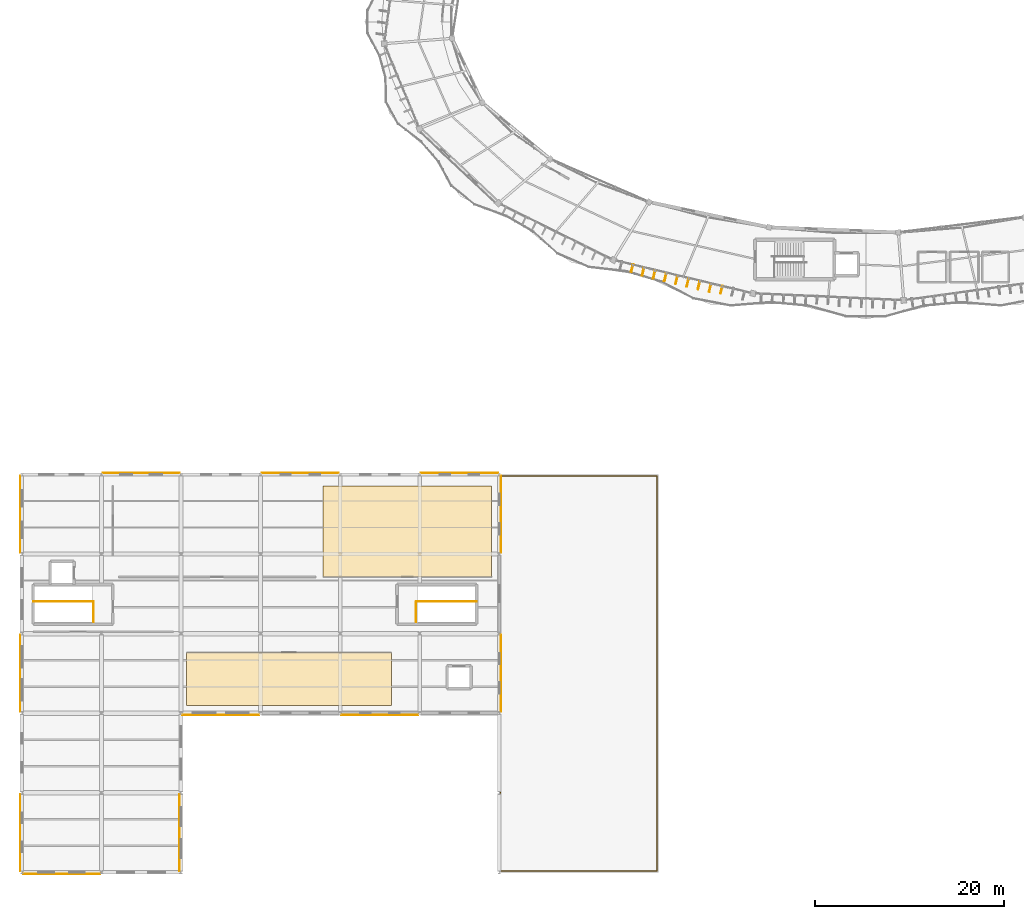
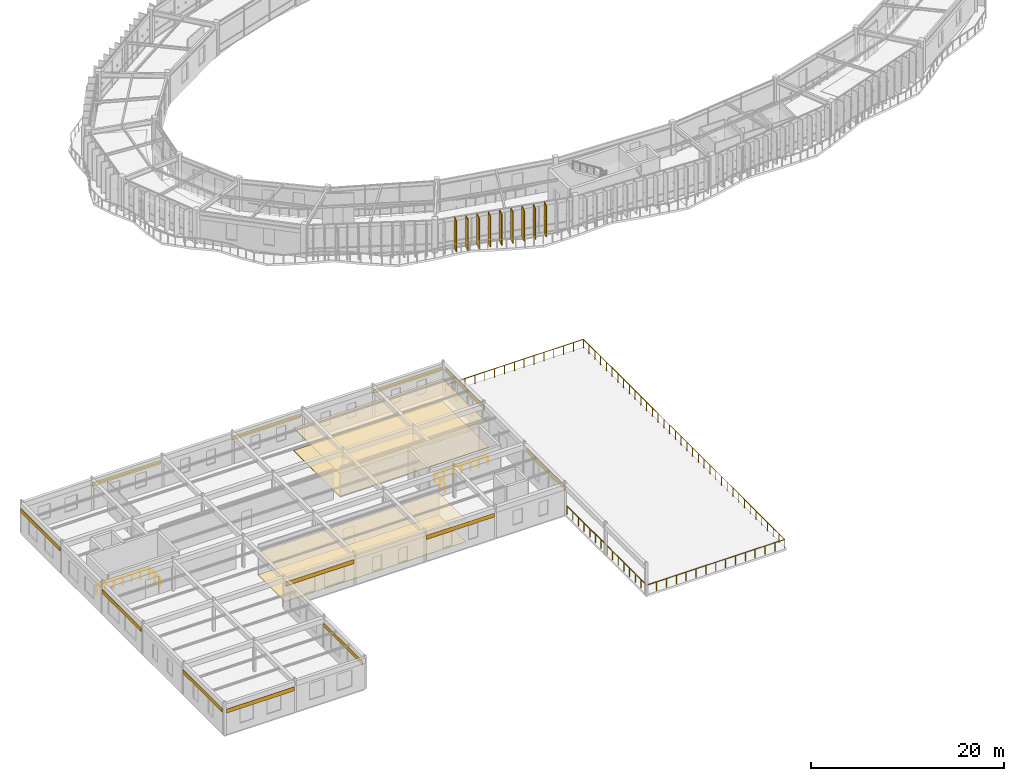
# One storey, part 78 of 83: 16 coverings, 9 shading devices, 5 railings.
"""IFC4 building model written with IfcOpenShell, lengths in metres."""

from ifc_helpers import new_model, si_unit, direction, frame, origin, origin_2d, place, context, subcontext, project, spatial, polyline, rectangle, circle, outline, extrude, material, layer, layer_set, type_object, element, save


model = new_model("IFC4")

# Units and contexts
model_context = context("Model", 3, precision=1e-05, world=origin(), true_north=direction((0.0, 1.0)))
body_context = subcontext(model_context, "Body", "Model", "MODEL_VIEW")
ifc_project = project(units=[si_unit("LENGTHUNIT", "METRE"), si_unit("AREAUNIT", "SQUARE_METRE"), si_unit("VOLUMEUNIT", "CUBIC_METRE"), si_unit("PLANEANGLEUNIT", "RADIAN"), si_unit("MASSUNIT", "GRAM", prefix="KILO"), si_unit("THERMODYNAMICTEMPERATUREUNIT", "KELVIN"), si_unit("POWERUNIT", "WATT")], contexts=[model_context])

# Site, building, storey
site_placement = place(None, origin())
site = spatial("IfcSite", under=ifc_project, at=site_placement, CompositionType="ELEMENT")
building_placement = place(site_placement, origin())
building = spatial("IfcBuilding", under=site, at=building_placement, Name="Darbajah Civic Hall", CompositionType="ELEMENT")
storey_placement = place(building_placement, frame((0.0, 0.0, 18.0)))
storey = spatial("IfcBuildingStorey", under=building, at=storey_placement, Name="L04", CompositionType="ELEMENT", Elevation=18.0)

# Railing
ifc_material_1 = material(Name="Anodised Bronze Aluminium and Laminated Safety Glass", Category="aluminium")
railing_type_1 = type_object("IfcRailingType", Name="Exterior Terrace Balustrade Guard", PredefinedType="BALUSTRADE", material=ifc_material_1)
railing_1_placement = place(storey_placement, frame((50.550048828125, 16.64990234375, 0.0)))
element("IfcRailing", 1, at=railing_1_placement, inside=storey, type_object=railing_type_1, Name="L04 walkable terrace balustrade guard GD-V5-L04-TERR", PredefinedType="BALUSTRADE", context=body_context, shape_type="SweptSolid", body=[
    extrude(circle(Radius=0.02392578125, at=origin_2d()), frame((0.0, -0.02734375, 1.09619140625), z_axis=(0.0, -1.0, 0.0), x_axis=(1.0, 0.0, 0.0)), (0.0, 0.0, 1.0), 16.4453125),
    extrude(circle(Radius=0.02392578125, at=origin_2d()), frame((0.02734375, -16.5, 1.09619140625), z_axis=(1.0, 0.0, 0.0), x_axis=(0.0, 1.0, 0.0)), (0.0, 0.0, 1.0), 16.4453125),
    extrude(circle(Radius=0.02392578125, at=origin_2d()), frame((16.5, -16.47265625, 1.09619140625), z_axis=(0.0, 1.0, 0.0), x_axis=(-1.0, 0.0, 0.0)), (0.0, 0.0, 1.0), 41.6455078125),
    extrude(circle(Radius=0.02392578125, at=origin_2d()), frame((16.47265625, 25.2001953125, 1.09619140625), z_axis=(-1.0, 0.0, 0.0), x_axis=(0.0, -1.0, 0.0)), (0.0, 0.0, 1.0), 16.4453125),
    extrude(circle(Radius=0.02099609375, at=origin_2d()), origin(), (0.0, 0.0, 1.0), 1.068115234375),
    extrude(circle(Radius=0.02099609375, at=origin_2d()), frame((0.0, -1.178466796875, 0.0)), (0.0, 0.0, 1.0), 1.068115234375),
    extrude(circle(Radius=0.02099609375, at=origin_2d()), frame((0.0, -2.357177734375, 0.0)), (0.0, 0.0, 1.0), 1.068115234375),
    extrude(circle(Radius=0.02099609375, at=origin_2d()), frame((0.0, -3.53564453125, 0.0)), (0.0, 0.0, 1.0), 1.068115234375),
    extrude(circle(Radius=0.02099609375, at=origin_2d()), frame((0.0, -4.71435546875, 0.0)), (0.0, 0.0, 1.0), 1.068115234375),
    extrude(circle(Radius=0.02099609375, at=origin_2d()), frame((0.0, -5.892822265625, 0.0)), (0.0, 0.0, 1.0), 1.068115234375),
    extrude(circle(Radius=0.02099609375, at=origin_2d()), frame((0.0, -7.071533203125, 0.0)), (0.0, 0.0, 1.0), 1.068115234375),
    extrude(circle(Radius=0.02099609375, at=origin_2d()), frame((0.0, -8.25, 0.0)), (0.0, 0.0, 1.0), 1.068115234375),
    extrude(circle(Radius=0.02099609375, at=origin_2d()), frame((0.0, -9.428466796875, 0.0)), (0.0, 0.0, 1.0), 1.068115234375),
    extrude(circle(Radius=0.02099609375, at=origin_2d()), frame((0.0, -10.607177734375, 0.0)), (0.0, 0.0, 1.0), 1.068115234375),
    extrude(circle(Radius=0.02099609375, at=origin_2d()), frame((0.0, -11.78564453125, 0.0)), (0.0, 0.0, 1.0), 1.068115234375),
    extrude(circle(Radius=0.02099609375, at=origin_2d()), frame((0.0, -12.96435546875, 0.0)), (0.0, 0.0, 1.0), 1.068115234375),
    extrude(circle(Radius=0.02099609375, at=origin_2d()), frame((0.0, -14.142822265625, 0.0)), (0.0, 0.0, 1.0), 1.068115234375),
    extrude(circle(Radius=0.02099609375, at=origin_2d()), frame((0.0, -15.321533203125, 0.0)), (0.0, 0.0, 1.0), 1.068115234375),
    extrude(circle(Radius=0.02099609375, at=origin_2d()), frame((0.0, -16.5, 0.0)), (0.0, 0.0, 1.0), 1.068115234375),
    extrude(circle(Radius=0.02099609375, at=origin_2d()), frame((1.178466796875, -16.5, 0.0)), (0.0, 0.0, 1.0), 1.068115234375),
    extrude(circle(Radius=0.02099609375, at=origin_2d()), frame((2.357177734375, -16.5, 0.0)), (0.0, 0.0, 1.0), 1.068115234375),
    extrude(circle(Radius=0.02099609375, at=origin_2d()), frame((3.53564453125, -16.5, 0.0)), (0.0, 0.0, 1.0), 1.068115234375),
    extrude(circle(Radius=0.02099609375, at=origin_2d()), frame((4.71435546875, -16.5, 0.0)), (0.0, 0.0, 1.0), 1.068115234375),
    extrude(circle(Radius=0.02099609375, at=origin_2d()), frame((5.892822265625, -16.5, 0.0)), (0.0, 0.0, 1.0), 1.068115234375),
    extrude(circle(Radius=0.02099609375, at=origin_2d()), frame((7.071533203125, -16.5, 0.0)), (0.0, 0.0, 1.0), 1.068115234375),
    extrude(circle(Radius=0.02099609375, at=origin_2d()), frame((8.25, -16.5, 0.0)), (0.0, 0.0, 1.0), 1.068115234375),
    extrude(circle(Radius=0.02099609375, at=origin_2d()), frame((9.428466796875, -16.5, 0.0)), (0.0, 0.0, 1.0), 1.068115234375),
    extrude(circle(Radius=0.02099609375, at=origin_2d()), frame((10.607177734375, -16.5, 0.0)), (0.0, 0.0, 1.0), 1.068115234375),
    extrude(circle(Radius=0.02099609375, at=origin_2d()), frame((11.78564453125, -16.5, 0.0)), (0.0, 0.0, 1.0), 1.068115234375),
    extrude(circle(Radius=0.02099609375, at=origin_2d()), frame((12.96435546875, -16.5, 0.0)), (0.0, 0.0, 1.0), 1.068115234375),
    extrude(circle(Radius=0.02099609375, at=origin_2d()), frame((14.142822265625, -16.5, 0.0)), (0.0, 0.0, 1.0), 1.068115234375),
    extrude(circle(Radius=0.02099609375, at=origin_2d()), frame((15.321533203125, -16.5, 0.0)), (0.0, 0.0, 1.0), 1.068115234375),
    extrude(circle(Radius=0.02099609375, at=origin_2d()), frame((16.5, -16.5, 0.0)), (0.0, 0.0, 1.0), 1.068115234375),
    extrude(circle(Radius=0.02099609375, at=origin_2d()), frame((16.5, -15.30859375, 0.0)), (0.0, 0.0, 1.0), 1.068115234375),
    extrude(circle(Radius=0.02099609375, at=origin_2d()), frame((16.5, -14.1171875, 0.0)), (0.0, 0.0, 1.0), 1.068115234375),
    extrude(circle(Radius=0.02099609375, at=origin_2d()), frame((16.5, -12.92578125, 0.0)), (0.0, 0.0, 1.0), 1.068115234375),
    extrude(circle(Radius=0.02099609375, at=origin_2d()), frame((16.5, -11.734375, 0.0)), (0.0, 0.0, 1.0), 1.068115234375),
    extrude(circle(Radius=0.02099609375, at=origin_2d()), frame((16.5, -10.542724609375, 0.0)), (0.0, 0.0, 1.0), 1.068115234375),
    extrude(circle(Radius=0.02099609375, at=origin_2d()), frame((16.5, -9.351318359375, 0.0)), (0.0, 0.0, 1.0), 1.068115234375),
    extrude(circle(Radius=0.02099609375, at=origin_2d()), frame((16.5, -8.159912109375, 0.0)), (0.0, 0.0, 1.0), 1.068115234375),
    extrude(circle(Radius=0.02099609375, at=origin_2d()), frame((16.5, -6.968505859375, 0.0)), (0.0, 0.0, 1.0), 1.068115234375),
    extrude(circle(Radius=0.02099609375, at=origin_2d()), frame((16.5, -5.777099609375, 0.0)), (0.0, 0.0, 1.0), 1.068115234375),
    extrude(circle(Radius=0.02099609375, at=origin_2d()), frame((16.5, -4.585693359375, 0.0)), (0.0, 0.0, 1.0), 1.068115234375),
    extrude(circle(Radius=0.02099609375, at=origin_2d()), frame((16.5, -3.394287109375, 0.0)), (0.0, 0.0, 1.0), 1.068115234375),
    extrude(circle(Radius=0.02099609375, at=origin_2d()), frame((16.5, -2.202880859375, 0.0)), (0.0, 0.0, 1.0), 1.068115234375),
    extrude(circle(Radius=0.02099609375, at=origin_2d()), frame((16.5, -1.011474609375, 0.0)), (0.0, 0.0, 1.0), 1.068115234375),
    extrude(circle(Radius=0.02099609375, at=origin_2d()), frame((16.5, 0.18017578125, 0.0)), (0.0, 0.0, 1.0), 1.068115234375),
    extrude(circle(Radius=0.02099609375, at=origin_2d()), frame((16.5, 1.37158203125, 0.0)), (0.0, 0.0, 1.0), 1.068115234375),
    extrude(circle(Radius=0.02099609375, at=origin_2d()), frame((16.5, 2.56298828125, 0.0)), (0.0, 0.0, 1.0), 1.068115234375),
    extrude(circle(Radius=0.02099609375, at=origin_2d()), frame((16.5, 3.75439453125, 0.0)), (0.0, 0.0, 1.0), 1.068115234375),
    extrude(circle(Radius=0.02099609375, at=origin_2d()), frame((16.5, 4.94580078125, 0.0)), (0.0, 0.0, 1.0), 1.068115234375),
    extrude(circle(Radius=0.02099609375, at=origin_2d()), frame((16.5, 6.13720703125, 0.0)), (0.0, 0.0, 1.0), 1.068115234375),
    extrude(circle(Radius=0.02099609375, at=origin_2d()), frame((16.5, 7.32861328125, 0.0)), (0.0, 0.0, 1.0), 1.068115234375),
    extrude(circle(Radius=0.02099609375, at=origin_2d()), frame((16.5, 8.52001953125, 0.0)), (0.0, 0.0, 1.0), 1.068115234375),
    extrude(circle(Radius=0.02099609375, at=origin_2d()), frame((16.5, 9.711669921875, 0.0)), (0.0, 0.0, 1.0), 1.068115234375),
    extrude(circle(Radius=0.02099609375, at=origin_2d()), frame((16.5, 10.903076171875, 0.0)), (0.0, 0.0, 1.0), 1.068115234375),
    extrude(circle(Radius=0.02099609375, at=origin_2d()), frame((16.5, 12.094482421875, 0.0)), (0.0, 0.0, 1.0), 1.068115234375),
    extrude(circle(Radius=0.02099609375, at=origin_2d()), frame((16.5, 13.285888671875, 0.0)), (0.0, 0.0, 1.0), 1.068115234375),
    extrude(circle(Radius=0.02099609375, at=origin_2d()), frame((16.5, 14.477294921875, 0.0)), (0.0, 0.0, 1.0), 1.068115234375),
    extrude(circle(Radius=0.02099609375, at=origin_2d()), frame((16.5, 15.668701171875, 0.0)), (0.0, 0.0, 1.0), 1.068115234375),
    extrude(circle(Radius=0.02099609375, at=origin_2d()), frame((16.5, 16.860107421875, 0.0)), (0.0, 0.0, 1.0), 1.068115234375),
    extrude(circle(Radius=0.02099609375, at=origin_2d()), frame((16.5, 18.051513671875, 0.0)), (0.0, 0.0, 1.0), 1.068115234375),
    extrude(circle(Radius=0.02099609375, at=origin_2d()), frame((16.5, 19.242919921875, 0.0)), (0.0, 0.0, 1.0), 1.068115234375),
    extrude(circle(Radius=0.02099609375, at=origin_2d()), frame((16.5, 20.4345703125, 0.0)), (0.0, 0.0, 1.0), 1.068115234375),
    extrude(circle(Radius=0.02099609375, at=origin_2d()), frame((16.5, 21.6259765625, 0.0)), (0.0, 0.0, 1.0), 1.068115234375),
    extrude(circle(Radius=0.02099609375, at=origin_2d()), frame((16.5, 22.8173828125, 0.0)), (0.0, 0.0, 1.0), 1.068115234375),
    extrude(circle(Radius=0.02099609375, at=origin_2d()), frame((16.5, 24.0087890625, 0.0)), (0.0, 0.0, 1.0), 1.068115234375),
    extrude(circle(Radius=0.02099609375, at=origin_2d()), frame((16.5, 25.2001953125, 0.0)), (0.0, 0.0, 1.0), 1.068115234375),
    extrude(circle(Radius=0.02099609375, at=origin_2d()), frame((15.321533203125, 25.2001953125, 0.0)), (0.0, 0.0, 1.0), 1.068115234375),
    extrude(circle(Radius=0.02099609375, at=origin_2d()), frame((14.142822265625, 25.2001953125, 0.0)), (0.0, 0.0, 1.0), 1.068115234375),
    extrude(circle(Radius=0.02099609375, at=origin_2d()), frame((12.96435546875, 25.2001953125, 0.0)), (0.0, 0.0, 1.0), 1.068115234375),
    extrude(circle(Radius=0.02099609375, at=origin_2d()), frame((11.78564453125, 25.2001953125, 0.0)), (0.0, 0.0, 1.0), 1.068115234375),
    extrude(circle(Radius=0.02099609375, at=origin_2d()), frame((10.607177734375, 25.2001953125, 0.0)), (0.0, 0.0, 1.0), 1.068115234375),
    extrude(circle(Radius=0.02099609375, at=origin_2d()), frame((9.428466796875, 25.2001953125, 0.0)), (0.0, 0.0, 1.0), 1.068115234375),
    extrude(circle(Radius=0.02099609375, at=origin_2d()), frame((8.25, 25.2001953125, 0.0)), (0.0, 0.0, 1.0), 1.068115234375),
    extrude(circle(Radius=0.02099609375, at=origin_2d()), frame((7.071533203125, 25.2001953125, 0.0)), (0.0, 0.0, 1.0), 1.068115234375),
    extrude(circle(Radius=0.02099609375, at=origin_2d()), frame((5.892822265625, 25.2001953125, 0.0)), (0.0, 0.0, 1.0), 1.068115234375),
    extrude(circle(Radius=0.02099609375, at=origin_2d()), frame((4.71435546875, 25.2001953125, 0.0)), (0.0, 0.0, 1.0), 1.068115234375),
    extrude(circle(Radius=0.02099609375, at=origin_2d()), frame((3.53564453125, 25.2001953125, 0.0)), (0.0, 0.0, 1.0), 1.068115234375),
    extrude(circle(Radius=0.02099609375, at=origin_2d()), frame((2.357177734375, 25.2001953125, 0.0)), (0.0, 0.0, 1.0), 1.068115234375),
    extrude(circle(Radius=0.02099609375, at=origin_2d()), frame((1.178466796875, 25.2001953125, 0.0)), (0.0, 0.0, 1.0), 1.068115234375),
    extrude(circle(Radius=0.02099609375, at=origin_2d()), frame((0.0, 25.2001953125, 0.0)), (0.0, 0.0, 1.0), 1.068115234375),
])

# Coverings
ifc_material_2 = material(Name="Honed Qatari Limestone Terrazzo", Category="masonry")
ifc_layer_1 = layer(ifc_material_2, 0.030029296875, Name="Honed Qatari Limestone Terrazzo")
ifc_layer_set_1 = layer_set([ifc_layer_1], Name="Honed Qatari Limestone Terrazzo")
covering_type_1 = type_object("IfcCoveringType", Name="Honed Qatari Limestone Terrazzo Flooring", PredefinedType="FLOORING", material=ifc_layer_set_1)
covering_1_placement = place(storey_placement, origin())
element("IfcCovering", 2, at=covering_1_placement, inside=storey, type_object=covering_type_1, Name="L04 stone terrazzo flooring L04-V5-02", PredefinedType="FLOORING", context=body_context, shape_type="SweptSolid", body=[
    extrude(outline(polyline([(17.39990234375, 17.60009765625), (39.0, 17.60009765625), (39.0, 23.199951171875), (17.39990234375, 23.199951171875), (17.39990234375, 17.60009765625)])), origin(), (0.0, 0.0, 1.0), 0.030029296875),
])
covering_2_placement = place(storey_placement, origin())
element("IfcCovering", 3, at=covering_2_placement, inside=storey, type_object=covering_type_1, Name="L04 stone terrazzo flooring L04-V5-04", PredefinedType="FLOORING", context=body_context, shape_type="SweptSolid", body=[
    extrude(outline(polyline([(31.800048828125, 31.199951171875), (49.60009765625, 31.199951171875), (49.60009765625, 40.800048828125), (31.800048828125, 40.800048828125), (31.800048828125, 31.199951171875)])), origin(), (0.0, 0.0, 1.0), 0.030029296875),
])

# Railings
ifc_material_3 = material(Name="Brushed Bronze and Laminated Safety Glass", Category="glass")
railing_type_2 = type_object("IfcRailingType", Name="Interior Guard Balustrade", PredefinedType="BALUSTRADE", material=ifc_material_3)
railing_2_placement = place(storey_placement, frame((7.570068359375, 26.449951171875, 0.0)))
element("IfcRailing", 4, at=railing_2_placement, inside=storey, type_object=railing_type_2, Name="ST10 L04 stair-well edge guard", PredefinedType="BALUSTRADE", context=body_context, shape_type="SweptSolid", body=[
    extrude(circle(Radius=0.02392578125, at=origin_2d()), frame((0.0, 0.02734375, 1.09619140625), z_axis=(0.0, 1.0, 0.0), x_axis=(-1.0, 0.0, 0.0)), (0.0, 0.0, 1.0), 2.095458984375),
    extrude(circle(Radius=0.02099609375, at=origin_2d()), origin(), (0.0, 0.0, 1.0), 1.068115234375),
    extrude(circle(Radius=0.02099609375, at=origin_2d()), frame((0.0, 1.0751953125, 0.0)), (0.0, 0.0, 1.0), 1.068115234375),
    extrude(circle(Radius=0.02099609375, at=origin_2d()), frame((0.0, 2.150146484375, 0.0)), (0.0, 0.0, 1.0), 1.068115234375),
])
railing_3_placement = place(storey_placement, frame((7.52001953125, 28.60009765625, 0.0)))
element("IfcRailing", 5, at=railing_3_placement, inside=storey, type_object=railing_type_2, Name="ST10 L04 top landing guard", PredefinedType="BALUSTRADE", context=body_context, shape_type="SweptSolid", body=[
    extrude(circle(Radius=0.02392578125, at=origin_2d()), frame((-0.02734375, 0.0, 1.09619140625), z_axis=(-1.0, 0.0, 0.0), x_axis=(0.0, -1.0, 0.0)), (0.0, 0.0, 1.0), 6.265380859375),
    extrude(circle(Radius=0.02099609375, at=origin_2d()), origin(), (0.0, 0.0, 1.0), 1.068115234375),
    extrude(circle(Radius=0.02099609375, at=origin_2d()), frame((-1.05322265625, 0.0, 0.0)), (0.0, 0.0, 1.0), 1.068115234375),
    extrude(circle(Radius=0.02099609375, at=origin_2d()), frame((-2.106689453125, 0.0, 0.0)), (0.0, 0.0, 1.0), 1.068115234375),
    extrude(circle(Radius=0.02099609375, at=origin_2d()), frame((-3.16015625, 0.0, 0.0)), (0.0, 0.0, 1.0), 1.068115234375),
    extrude(circle(Radius=0.02099609375, at=origin_2d()), frame((-4.21337890625, 0.0, 0.0)), (0.0, 0.0, 1.0), 1.068115234375),
    extrude(circle(Radius=0.02099609375, at=origin_2d()), frame((-5.2666015625, 0.0, 0.0)), (0.0, 0.0, 1.0), 1.068115234375),
    extrude(circle(Radius=0.02099609375, at=origin_2d()), frame((-6.320068359375, 0.0, 0.0)), (0.0, 0.0, 1.0), 1.068115234375),
])
railing_4_placement = place(storey_placement, frame((41.6298828125, 26.449951171875, 0.0)))
element("IfcRailing", 6, at=railing_4_placement, inside=storey, type_object=railing_type_2, Name="ST11 L04 stair-well edge guard", PredefinedType="BALUSTRADE", context=body_context, shape_type="SweptSolid", body=[
    extrude(circle(Radius=0.02392578125, at=origin_2d()), frame((0.0, 0.02734375, 1.09619140625), z_axis=(0.0, 1.0, 0.0), x_axis=(-1.0, 0.0, 0.0)), (0.0, 0.0, 1.0), 2.095458984375),
    extrude(circle(Radius=0.02099609375, at=origin_2d()), origin(), (0.0, 0.0, 1.0), 1.068115234375),
    extrude(circle(Radius=0.02099609375, at=origin_2d()), frame((0.0, 1.0751953125, 0.0)), (0.0, 0.0, 1.0), 1.068115234375),
    extrude(circle(Radius=0.02099609375, at=origin_2d()), frame((0.0, 2.150146484375, 0.0)), (0.0, 0.0, 1.0), 1.068115234375),
])
railing_5_placement = place(storey_placement, frame((41.679931640625, 28.60009765625, 0.0)))
element("IfcRailing", 7, at=railing_5_placement, inside=storey, type_object=railing_type_2, Name="ST11 L04 top landing guard", PredefinedType="BALUSTRADE", context=body_context, shape_type="SweptSolid", body=[
    extrude(circle(Radius=0.02392578125, at=origin_2d()), frame((0.02734375, 0.0, 1.09619140625), z_axis=(1.0, 0.0, 0.0), x_axis=(0.0, 1.0, 0.0)), (0.0, 0.0, 1.0), 6.265380859375),
    extrude(circle(Radius=0.02099609375, at=origin_2d()), origin(), (0.0, 0.0, 1.0), 1.068115234375),
    extrude(circle(Radius=0.02099609375, at=origin_2d()), frame((1.05322265625, 0.0, 0.0)), (0.0, 0.0, 1.0), 1.068115234375),
    extrude(circle(Radius=0.02099609375, at=origin_2d()), frame((2.106689453125, 0.0, 0.0)), (0.0, 0.0, 1.0), 1.068115234375),
    extrude(circle(Radius=0.02099609375, at=origin_2d()), frame((3.16015625, 0.0, 0.0)), (0.0, 0.0, 1.0), 1.068115234375),
    extrude(circle(Radius=0.02099609375, at=origin_2d()), frame((4.21337890625, 0.0, 0.0)), (0.0, 0.0, 1.0), 1.068115234375),
    extrude(circle(Radius=0.02099609375, at=origin_2d()), frame((5.2666015625, 0.0, 0.0)), (0.0, 0.0, 1.0), 1.068115234375),
    extrude(circle(Radius=0.02099609375, at=origin_2d()), frame((6.320068359375, 0.0, 0.0)), (0.0, 0.0, 1.0), 1.068115234375),
])

# Coverings
ifc_material_4 = material(Name="Qatari Desert Limestone Ashlar", Category="masonry")
ifc_layer_2 = layer(ifc_material_4, 0.044921875, Name="Qatari Desert Limestone Ashlar")
ifc_layer_set_2 = layer_set([ifc_layer_2], Name="Qatari Desert Limestone Ashlar")
covering_type_2 = type_object("IfcCoveringType", Name="Limestone Facade Cladding", PredefinedType="CLADDING", material=ifc_layer_set_2)
covering_3_placement = place(storey_placement, frame((0.0, 0.0, 2.77001953125)))
element("IfcCovering", 8, at=covering_3_placement, inside=storey, type_object=covering_type_2, Name="L04 stone frieze cladding EW-V5-L04-S0-B0", PredefinedType="CLADDING", context=body_context, shape_type="SweptSolid", body=[
    extrude(outline(polyline([(0.130126953125, -0.155029296875), (8.27001953125, -0.155029296875), (8.27001953125, -0.199951171875), (0.130126953125, -0.199951171875), (0.130126953125, -0.155029296875)])), origin(), (0.0, 0.0, 1.0), 0.5),
])
covering_4_placement = place(storey_placement, frame((0.0, 0.0, 2.820068359375)))
element("IfcCovering", 9, at=covering_4_placement, inside=storey, type_object=covering_type_2, Name="L04 stone frieze cladding EW-V5-L04-S1-B0", PredefinedType="CLADDING", context=body_context, shape_type="SweptSolid", body=[
    extrude(outline(polyline([(16.64501953125, 0.132080078125), (16.64501953125, 8.267822265625), (16.60009765625, 8.267822265625), (16.60009765625, 0.132080078125), (16.64501953125, 0.132080078125)])), origin(), (0.0, 0.0, 1.0), 0.5),
])
covering_5_placement = place(storey_placement, frame((0.0, 0.0, 2.77001953125)))
element("IfcCovering", 10, at=covering_5_placement, inside=storey, type_object=covering_type_2, Name="L04 stone frieze cladding EW-V5-L04-S2-B0", PredefinedType="CLADDING", context=body_context, shape_type="SweptSolid", body=[
    extrude(outline(polyline([(16.93017578125, 16.64501953125), (25.06982421875, 16.64501953125), (25.06982421875, 16.60009765625), (16.93017578125, 16.60009765625), (16.93017578125, 16.64501953125)])), origin(), (0.0, 0.0, 1.0), 0.5),
])
covering_6_placement = place(storey_placement, frame((0.0, 0.0, 2.77001953125)))
element("IfcCovering", 11, at=covering_6_placement, inside=storey, type_object=covering_type_2, Name="L04 stone frieze cladding EW-V5-L04-S2-B2", PredefinedType="CLADDING", context=body_context, shape_type="SweptSolid", body=[
    extrude(outline(polyline([(33.72998046875, 16.64501953125), (41.869873046875, 16.64501953125), (41.869873046875, 16.60009765625), (33.72998046875, 16.60009765625), (33.72998046875, 16.64501953125)])), origin(), (0.0, 0.0, 1.0), 0.5),
])
covering_7_placement = place(storey_placement, frame((0.0, 0.0, 2.820068359375)))
element("IfcCovering", 12, at=covering_7_placement, inside=storey, type_object=covering_type_2, Name="L04 stone frieze cladding EW-V5-L04-S3-B0", PredefinedType="CLADDING", context=body_context, shape_type="SweptSolid", body=[
    extrude(outline(polyline([(50.554931640625, 16.93212890625), (50.554931640625, 25.06787109375), (50.60009765625, 25.06787109375), (50.60009765625, 16.93212890625), (50.554931640625, 16.93212890625)])), origin(), (0.0, 0.0, 1.0), 0.5),
])
covering_8_placement = place(storey_placement, frame((0.0, 0.0, 2.820068359375)))
element("IfcCovering", 13, at=covering_8_placement, inside=storey, type_object=covering_type_2, Name="L04 stone frieze cladding EW-V5-L04-S3-B2", PredefinedType="CLADDING", context=body_context, shape_type="SweptSolid", body=[
    extrude(outline(polyline([(50.554931640625, 33.732177734375), (50.554931640625, 41.867919921875), (50.60009765625, 41.867919921875), (50.60009765625, 33.732177734375), (50.554931640625, 33.732177734375)])), origin(), (0.0, 0.0, 1.0), 0.5),
])
covering_9_placement = place(storey_placement, frame((0.0, 0.0, 2.77001953125)))
element("IfcCovering", 14, at=covering_9_placement, inside=storey, type_object=covering_type_2, Name="L04 stone frieze cladding EW-V5-L04-S4-B0", PredefinedType="CLADDING", context=body_context, shape_type="SweptSolid", body=[
    extrude(outline(polyline([(50.27001953125, 42.155029296875), (42.130126953125, 42.155029296875), (42.130126953125, 42.199951171875), (50.27001953125, 42.199951171875), (50.27001953125, 42.155029296875)])), origin(), (0.0, 0.0, 1.0), 0.5),
])
covering_10_placement = place(storey_placement, frame((0.0, 0.0, 2.77001953125)))
element("IfcCovering", 15, at=covering_10_placement, inside=storey, type_object=covering_type_2, Name="L04 stone frieze cladding EW-V5-L04-S4-B2", PredefinedType="CLADDING", context=body_context, shape_type="SweptSolid", body=[
    extrude(outline(polyline([(33.469970703125, 42.155029296875), (25.330078125, 42.155029296875), (25.330078125, 42.199951171875), (33.469970703125, 42.199951171875), (33.469970703125, 42.155029296875)])), origin(), (0.0, 0.0, 1.0), 0.5),
])
covering_11_placement = place(storey_placement, frame((0.0, 0.0, 2.77001953125)))
element("IfcCovering", 16, at=covering_11_placement, inside=storey, type_object=covering_type_2, Name="L04 stone frieze cladding EW-V5-L04-S4-B4", PredefinedType="CLADDING", context=body_context, shape_type="SweptSolid", body=[
    extrude(outline(polyline([(16.669921875, 42.155029296875), (8.530029296875, 42.155029296875), (8.530029296875, 42.199951171875), (16.669921875, 42.199951171875), (16.669921875, 42.155029296875)])), origin(), (0.0, 0.0, 1.0), 0.5),
])
covering_12_placement = place(storey_placement, frame((0.0, 0.0, 2.77001953125)))
element("IfcCovering", 17, at=covering_12_placement, inside=storey, type_object=covering_type_2, Name="L04 stone frieze cladding EW-V5-L04-S5-B0", PredefinedType="CLADDING", context=body_context, shape_type="SweptSolid", body=[
    extrude(outline(polyline([(-0.155029296875, 41.867919921875), (-0.155029296875, 33.732177734375), (-0.199951171875, 33.732177734375), (-0.199951171875, 41.867919921875), (-0.155029296875, 41.867919921875)])), origin(), (0.0, 0.0, 1.0), 0.5),
])
covering_13_placement = place(storey_placement, frame((0.0, 0.0, 2.77001953125)))
element("IfcCovering", 18, at=covering_13_placement, inside=storey, type_object=covering_type_2, Name="L04 stone frieze cladding EW-V5-L04-S5-B2", PredefinedType="CLADDING", context=body_context, shape_type="SweptSolid", body=[
    extrude(outline(polyline([(-0.155029296875, 25.06787109375), (-0.155029296875, 16.93212890625), (-0.199951171875, 16.93212890625), (-0.199951171875, 25.06787109375), (-0.155029296875, 25.06787109375)])), origin(), (0.0, 0.0, 1.0), 0.5),
])
covering_14_placement = place(storey_placement, frame((0.0, 0.0, 2.77001953125)))
element("IfcCovering", 19, at=covering_14_placement, inside=storey, type_object=covering_type_2, Name="L04 stone frieze cladding EW-V5-L04-S5-B4", PredefinedType="CLADDING", context=body_context, shape_type="SweptSolid", body=[
    extrude(outline(polyline([(-0.155029296875, 8.267822265625), (-0.155029296875, 0.132080078125), (-0.199951171875, 0.132080078125), (-0.199951171875, 8.267822265625), (-0.155029296875, 8.267822265625)])), origin(), (0.0, 0.0, 1.0), 0.5),
])
ifc_material_5 = material(Name="Perforated Acoustic Gypsum Board")
ifc_layer_3 = layer(ifc_material_5, 0.02490234375, Name="Perforated Acoustic Gypsum Board")
ifc_layer_set_3 = layer_set([ifc_layer_3], Name="Perforated Acoustic Gypsum Board")
covering_type_3 = type_object("IfcCoveringType", Name="Perforated Acoustic Gypsum Ceiling", PredefinedType="CEILING", material=ifc_layer_set_3)
covering_15_placement = place(storey_placement, frame((0.0, 0.0, 2.85009765625)))
element("IfcCovering", 20, at=covering_15_placement, inside=storey, type_object=covering_type_3, Name="L04 acoustic suspended ceiling L04-V5-02", PredefinedType="CEILING", context=body_context, shape_type="SweptSolid", body=[
    extrude(outline(polyline([(17.39990234375, 17.60009765625), (39.0, 17.60009765625), (39.0, 23.199951171875), (17.39990234375, 23.199951171875), (17.39990234375, 17.60009765625)])), origin(), (0.0, 0.0, 1.0), 0.02490234375),
])
covering_16_placement = place(storey_placement, frame((0.0, 0.0, 2.85009765625)))
element("IfcCovering", 21, at=covering_16_placement, inside=storey, type_object=covering_type_3, Name="L04 acoustic suspended ceiling L04-V5-04", PredefinedType="CEILING", context=body_context, shape_type="SweptSolid", body=[
    extrude(outline(polyline([(31.800048828125, 31.199951171875), (49.60009765625, 31.199951171875), (49.60009765625, 40.800048828125), (31.800048828125, 40.800048828125), (31.800048828125, 31.199951171875)])), origin(), (0.0, 0.0, 1.0), 0.02490234375),
])

# Shading devices
ifc_material_6 = material(Name="Bronze Anodised Aluminium and Teak Composite", Category="aluminium")
shading_device_type = type_object("IfcShadingDeviceType", Name="Vertical Bronze Timber Shading Fin", PredefinedType="USERDEFINED", material=ifc_material_6)
for number, where, z_axis, x_axis, name in (
    (22, (64.429931640625, 63.795166015625, 0.0), (0.0, 0.0, 1.0), (-0.232936200179, -0.972492018808, 0.0), "L04 vertical shading fin VF-13-2"),
    (23, (65.579345703125, 63.38671875, 0.0), (0.0, 0.0, 1.0), (-0.232936200179, -0.972492018808, 0.0), "L04 vertical shading fin VF-13-3"),
    (24, (66.754638671875, 63.0869140625, 0.0), (0.0, 0.0, 1.0), (-0.232936200179, -0.972492018808, 0.0), "L04 vertical shading fin VF-13-4"),
    (25, (67.93408203125, 62.80419921875, 0.0), (0.0, 0.0, 1.0), (-0.232936200179, -0.972492018808, 0.0), "L04 vertical shading fin VF-13-5"),
    (26, (69.11376953125, 62.521484375, 0.0), (0.0, 0.0, 1.0), (-0.232936200179, -0.972492018808, 0.0), "L04 vertical shading fin VF-13-6"),
    (27, (70.293212890625, 62.239013671875, 0.0), (0.0, 0.0, 1.0), (-0.232936200179, -0.972492018808, 0.0), "L04 vertical shading fin VF-13-7"),
    (28, (71.47265625, 61.956298828125, 0.0), (0.0, 0.0, 1.0), (-0.232936200179, -0.972492018808, 0.0), "L04 vertical shading fin VF-13-8"),
    (29, (72.65234375, 61.673828125, 0.0), (0.0, 0.0, 1.0), (-0.232936200179, -0.972492018808, 0.0), "L04 vertical shading fin VF-13-9"),
    (30, (73.86279296875, 61.52001953125, 0.0), (0.0, 0.0, 1.0), (-0.232936200179, -0.972492018808, 0.0), "L04 vertical shading fin VF-13-10"),
):
    element("IfcShadingDevice", number, at=place(storey_placement, frame(where, z_axis=z_axis, x_axis=x_axis)), inside=storey, type_object=shading_device_type, Name=name, ObjectType="VERTICAL FIN", PredefinedType="USERDEFINED", context=body_context, shape_type="SweptSolid", body=[
        extrude(rectangle(XDim=0.85009765625, YDim=0.090087890625, at=origin_2d()), origin(), (0.0, 0.0, 1.0), 3.919921875),
    ])

save(model, "model.ifc")
